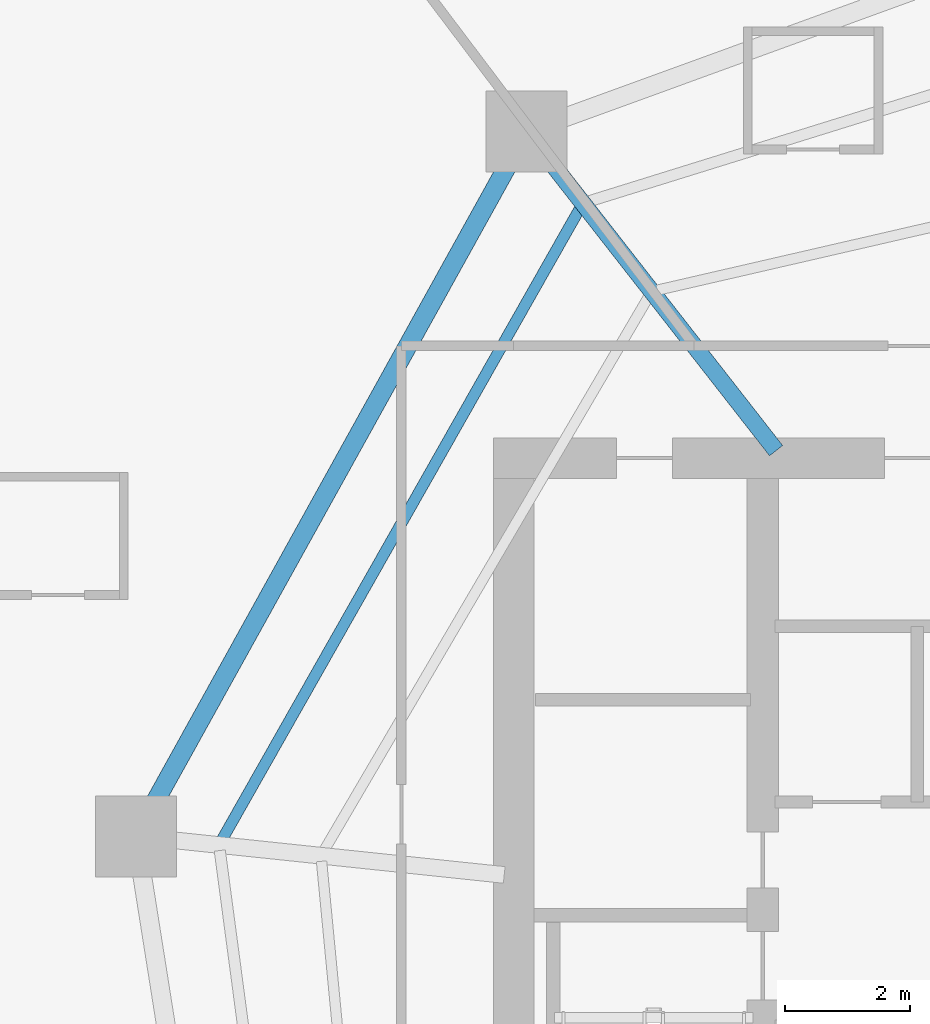
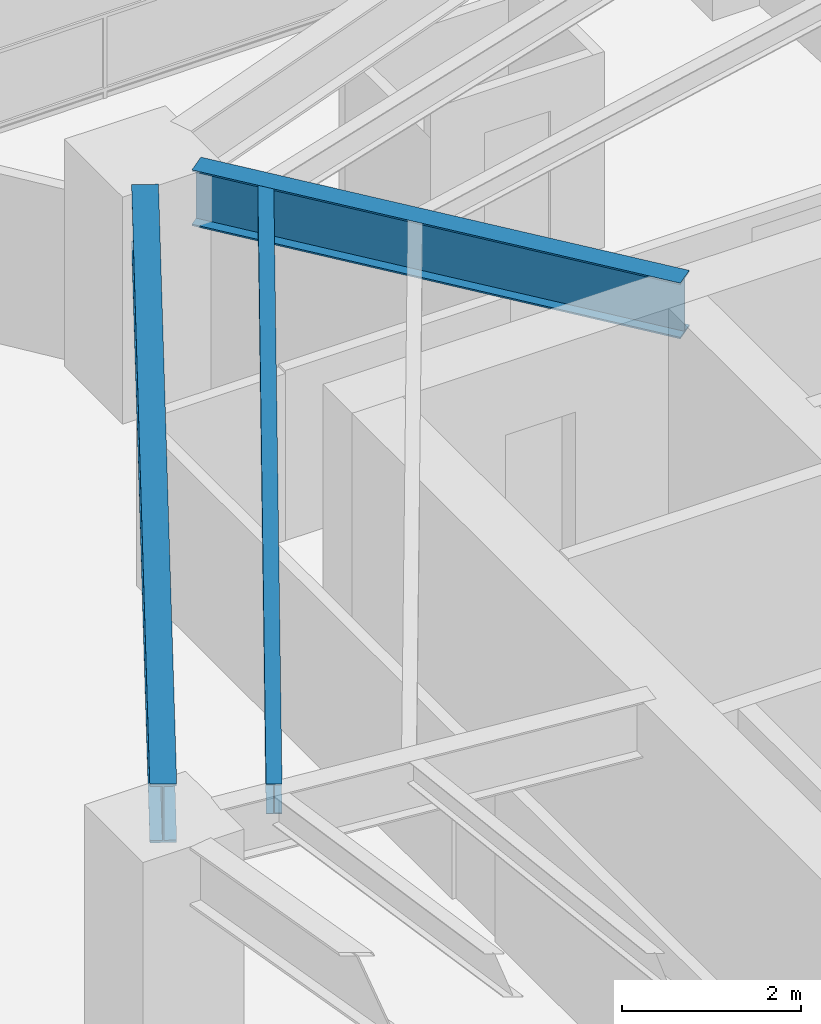
# One storey, part 16 of 31: 3 beams.
"""IFC4 building model written with IfcOpenShell, lengths in metres."""

from ifc_helpers import new_model, si_unit, direction, frame, origin, origin_2d, place, context, subcontext, project, spatial, i_section, extrude, material, material_profile, profile_set, type_object, element, save


model = new_model("IFC4")

# Units and contexts
model_context = context("Model", 3, precision=1e-05, world=origin(), true_north=direction((0.0, 1.0)))
body_context = subcontext(model_context, "Body", "Model", "MODEL_VIEW")
ifc_project = project(units=[si_unit("LENGTHUNIT", "METRE"), si_unit("AREAUNIT", "SQUARE_METRE"), si_unit("VOLUMEUNIT", "CUBIC_METRE"), si_unit("PLANEANGLEUNIT", "RADIAN"), si_unit("MASSUNIT", "GRAM", prefix="KILO")], contexts=[model_context])

# Site, building, storey
site_placement = place(None, origin())
site = spatial("IfcSite", under=ifc_project, at=site_placement, CompositionType="ELEMENT")
building_placement = place(site_placement, origin())
building = spatial("IfcBuilding", under=site, at=building_placement, Name="Qarnah Convention Tower", CompositionType="ELEMENT")
storey_placement = place(building_placement, frame((0.0, 0.0, 68.39990234375)))
storey = spatial("IfcBuildingStorey", under=building, at=storey_placement, Name="L17", CompositionType="ELEMENT", Elevation=68.39990234375)

# Beams
ifc_material = material(Name="Structural steel S355JR", Category="steel")
ifc_material_profile_1 = material_profile(ifc_material, i_section(OverallWidth=0.177978515625, OverallDepth=0.407958984375, WebThickness=0.008056640625, FlangeThickness=0.012939453125, at=origin_2d()), Name="W410X60")
ifc_profile_set_1 = profile_set([ifc_material_profile_1], Name="Structural steel S355JR")
beam_type_1 = type_object("IfcBeamType", Name="BM-JST-W410", PredefinedType="JOIST", material=ifc_profile_set_1)
beam_1_placement = place(storey_placement, frame((27.867919921875, 38.2109375, 2.885986328125), z_axis=(-0.493168421993, -0.869933852399, 0.0), x_axis=(0.869933852399, -0.493168421993, 0.0)))
element("IfcBeam", 1, at=beam_1_placement, inside=storey, type_object=beam_type_1, Name="L17 joist BM-L17-SJST-04", PredefinedType="JOIST", context=body_context, shape_type="SweptSolid", body=[
    extrude(i_section(OverallWidth=0.177978515625, OverallDepth=0.407958984375, WebThickness=0.008056640625, FlangeThickness=0.012939453125, at=origin_2d()), origin(), (0.0, 0.0, 1.0), 11.659423828125),
])
ifc_material_profile_2 = material_profile(ifc_material, i_section(OverallWidth=0.26806640625, OverallDepth=0.760009765625, WebThickness=0.014892578125, FlangeThickness=0.02197265625, at=origin_2d()), Name="W760X185")
ifc_profile_set_2 = profile_set([ifc_material_profile_2], Name="Structural steel S355JR")
beam_type_2 = type_object("IfcBeamType", Name="BM-RAD-W760", PredefinedType="BEAM", material=ifc_profile_set_2)
beam_2_placement = place(storey_placement, frame((31.013916015625, 34.318115234375, 2.710205078125), z_axis=(-0.61558272574, 0.78807227319, 0.0), x_axis=(-0.78807227319, -0.61558272574, 0.0)))
element("IfcBeam", 2, at=beam_2_placement, inside=storey, type_object=beam_type_2, Name="L17 beam BM-L17-RAD-04", PredefinedType="BEAM", context=body_context, shape_type="SweptSolid", body=[
    extrude(i_section(OverallWidth=0.26806640625, OverallDepth=0.760009765625, WebThickness=0.014892578125, FlangeThickness=0.02197265625, at=origin_2d()), origin(), (0.0, 0.0, 1.0), 5.87255859375),
])
ifc_material_profile_3 = material_profile(ifc_material, i_section(OverallWidth=0.300048828125, OverallDepth=0.800048828125, WebThickness=0.01806640625, FlangeThickness=0.032958984375, at=origin_2d()), Name="HEB800")
ifc_profile_set_3 = profile_set([ifc_material_profile_3], Name="Structural steel S355JR")
beam_type_3 = type_object("IfcBeamType", Name="BM-RING-HEB800", PredefinedType="BEAM", material=ifc_profile_set_3)
beam_3_placement = place(storey_placement, frame((26.700927734375, 38.882080078125, 2.690185546875), z_axis=(-0.484829813426, -0.874608513572, 0.0), x_axis=(0.874608513572, -0.484829813426, 0.0)))
element("IfcBeam", 3, at=beam_3_placement, inside=storey, type_object=beam_type_3, Name="L17 beam BM-L17-SPN-04", PredefinedType="BEAM", context=body_context, shape_type="SweptSolid", body=[
    extrude(i_section(OverallWidth=0.300048828125, OverallDepth=0.800048828125, WebThickness=0.01806640625, FlangeThickness=0.032958984375, at=origin_2d()), origin(), (0.0, 0.0, 1.0), 11.6533203125),
])

save(model, "model.ifc")
